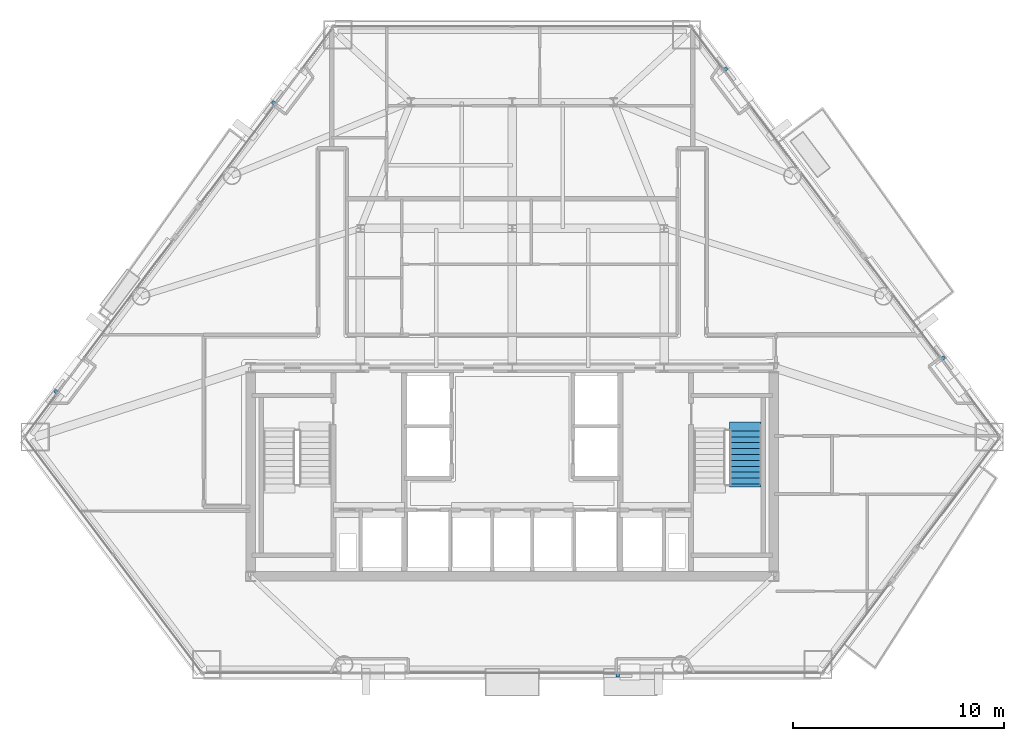
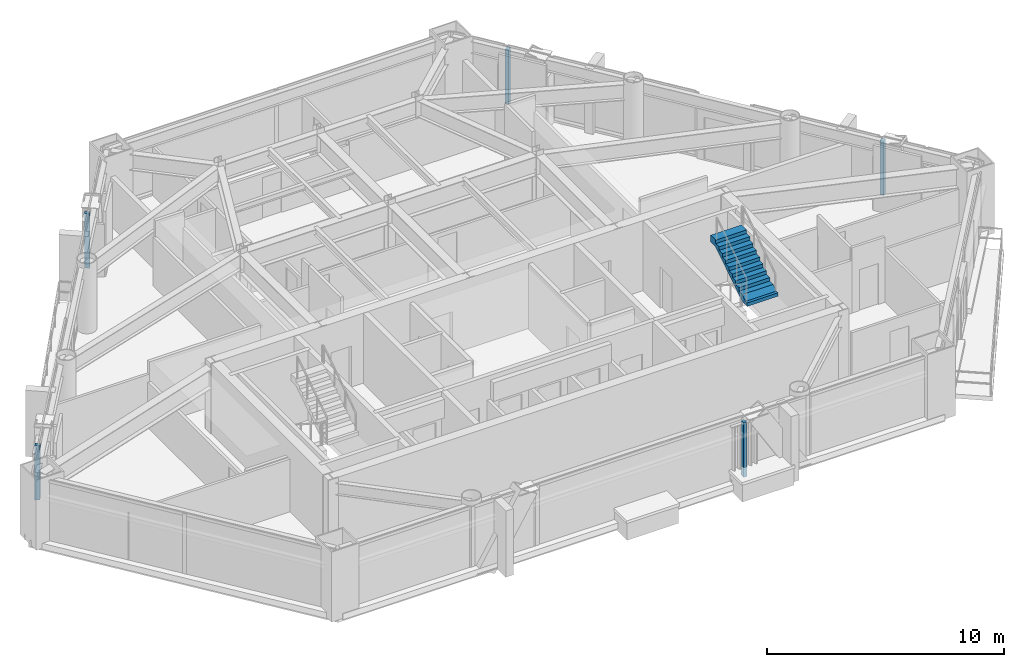
# One storey, part 9 of 11: 5 discrete accessories, 1 stair flight, 1 element without a shape of its own.
"""IFC4 building model written with IfcOpenShell, lengths in metres."""

from ifc_helpers import new_model, si_unit, direction, frame, origin, origin_2d, place, context, subcontext, project, spatial, polyline, rectangle, outline, extrude, source, transform, mapped, material, layer, layer_set, type_object, type_shapes, element, aggregate, save


model = new_model("IFC4")

# Units and contexts
model_context = context("Model", 3, precision=1e-05, world=origin(), true_north=direction((0.0, 1.0)))
body_context = subcontext(model_context, "Body", "Model", "MODEL_VIEW")
ifc_project = project(units=[si_unit("LENGTHUNIT", "METRE"), si_unit("AREAUNIT", "SQUARE_METRE"), si_unit("VOLUMEUNIT", "CUBIC_METRE"), si_unit("PLANEANGLEUNIT", "RADIAN"), si_unit("MASSUNIT", "GRAM", prefix="KILO")], contexts=[model_context])

# Site, building, storey
site_placement = place(None, origin())
site = spatial("IfcSite", under=ifc_project, at=site_placement, CompositionType="ELEMENT")
building_placement = place(site_placement, origin())
building = spatial("IfcBuilding", under=site, at=building_placement, Name="Talgorran Terracotta Tower", CompositionType="ELEMENT")
storey_placement = place(building_placement, frame((0.0, 0.0, 27.89990234375)))
storey = spatial("IfcBuildingStorey", under=building, at=storey_placement, Name="L06", CompositionType="ELEMENT", Elevation=27.89990234375)

# Stair, stair flight
ifc_material_1 = material(Name="Concrete C40/50", Category="concrete")
stair_type = type_object("IfcStairType", Name="ST_FIRE_SCISSOR", PredefinedType="HALF_TURN_STAIR", material=ifc_material_1)
stair_placement = place(storey_placement, origin())
stair = element("IfcStair", 1, at=stair_placement, inside=storey, type_object=stair_type, Name="L06 East Protected Fire Stair ST-02", PredefinedType="HALF_TURN_STAIR")
ifc_layer_1 = layer(ifc_material_1, 0.179931640625, Name="STF_RC_1500")
ifc_layer_set_1 = layer_set([ifc_layer_1], Name="Concrete C40/50")
stair_flight_type = type_object("IfcStairFlightType", Name="STF_RC_1500", PredefinedType="STRAIGHT", material=ifc_layer_set_1)
stair_flight_placement = place(storey_placement, frame((11.050048828125, -9.719970703125, 1.800048828125), z_axis=(0.0, 0.0, 1.0), x_axis=(0.0, 1.0, 0.0)))
stair_flight = element("IfcStairFlight", 2, at=stair_flight_placement, type_object=stair_flight_type, Name="ST-02 flight 2", NumberOfRisers=10, NumberOfTreads=9, PredefinedType="STRAIGHT", RiserHeight=0.18, TreadLength=0.28, context=body_context, shape_type="SweptSolid", body=[
    extrude(outline(polyline([(-0.139892578125, 0.0), (-0.139892578125, 0.179931640625), (0.0, 0.179931640625), (0.280029296875, 0.360107421875), (0.56005859375, 0.360107421875), (0.56005859375, 0.5400390625), (0.840087890625, 0.5400390625), (0.840087890625, 0.719970703125), (1.1201171875, 0.719970703125), (1.1201171875, 0.89990234375), (1.39990234375, 0.89990234375), (1.39990234375, 1.080078125), (1.679931640625, 1.080078125), (1.679931640625, 1.260009765625), (1.9599609375, 1.260009765625), (1.9599609375, 1.43994140625), (2.239990234375, 1.43994140625), (2.239990234375, 1.6201171875), (2.52001953125, 1.6201171875), (2.52001953125, 1.800048828125), (2.93994140625, 1.800048828125), (2.93994140625, 1.44189453125), (2.52001953125, 1.44189453125), (0.277099609375, 0.0), (-0.139892578125, 0.0)])), frame((0.0, 0.75, 0.0), z_axis=(0.0, -1.0, 0.0), x_axis=(1.0, 0.0, 0.0)), (0.0, 0.0, 1.0), 1.5),
])
aggregate(stair, [stair_flight])

# Discrete accessories
ifc_material_2 = material(Name="Stainless Steel Grade 316", Category="steel")
ifc_layer_2 = layer(ifc_material_2, 0.080078125, Name="ACC_BAGUETTE_BRKT")
ifc_layer_set_2 = layer_set([ifc_layer_2], Name="Stainless Steel Grade 316")
discrete_accessory_type = type_object("IfcDiscreteAccessoryType", Name="ACC_BAGUETTE_BRKT", PredefinedType="BRACKET", material=ifc_layer_set_2)
shared_shape = source(origin(), body_context, "Body", "SweptSolid", [
    extrude(rectangle(XDim=0.159912109375, YDim=0.219970703125, at=origin_2d()), origin(), (0.0, 0.0, 1.0), 2.800048828125),
])
type_shapes(discrete_accessory_type, [shared_shape])
for number, where, z_axis, x_axis, name in (
    (3, (5.004150390625, -18.75, 0.35009765625), (0.0, 0.0, 1.0), (1.0, 0.0, 0.0), "BRK-L06-F1"),
    (4, (20.40625, -3.76318359375, 0.35009765625), (0.0, 0.0, 1.0), (-0.601801084241, 0.798646013579, 0.0), "BRK-L06-F40"),
    (5, (10.0888671875, 9.928466796875, 0.35009765625), (0.0, 0.0, 1.0), (-0.601815023152, 0.798635510047, 0.0), "BRK-L06-F41"),
    (6, (-11.289306640625, 8.33544921875, 0.35009765625), (0.0, 0.0, 1.0), (-0.601801084241, -0.798646013579, 0.0), "BRK-L06-F60"),
    (7, (-21.606689453125, -5.356201171875, 0.35009765625), (0.0, 0.0, 1.0), (-0.601815023152, -0.798635510047, 0.0), "BRK-L06-F61"),
):
    element("IfcDiscreteAccessory", number, at=place(storey_placement, frame(where, z_axis=z_axis, x_axis=x_axis)), inside=storey, type_object=discrete_accessory_type, Name=name, PredefinedType="BRACKET", context=body_context, shape_type="MappedRepresentation", body=[
        mapped(shared_shape, transform((0.0, 0.0, 0.0), scale=1.0)),
    ])

save(model, "model.ifc")
